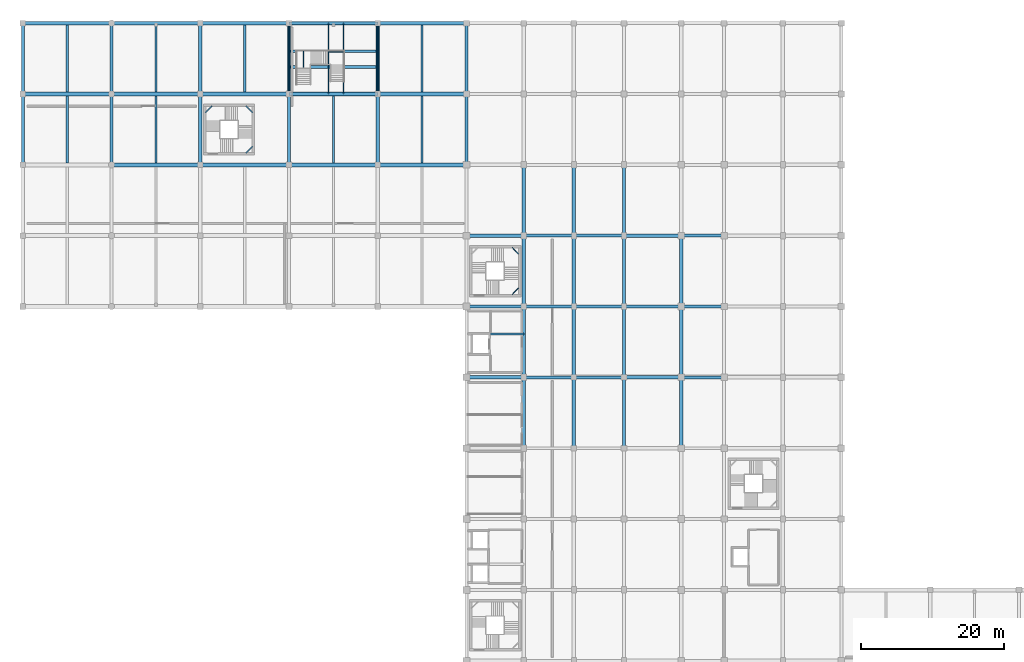
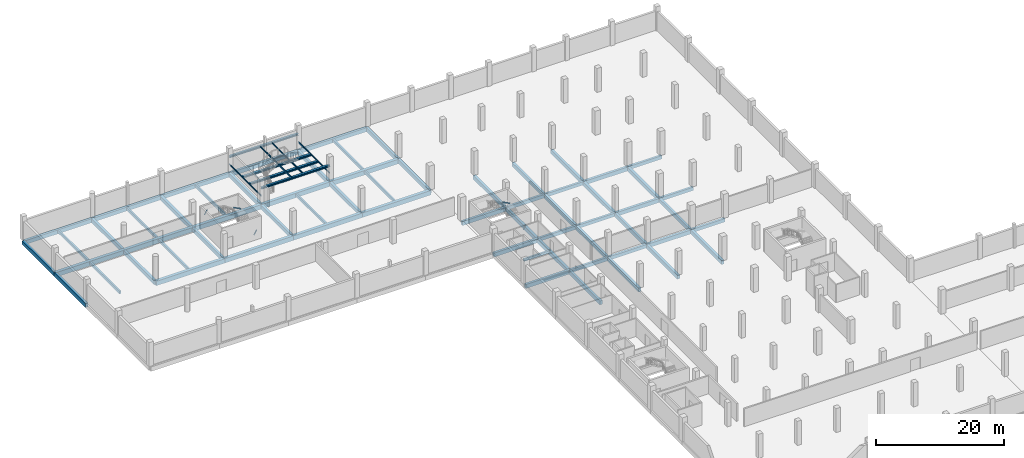
# One storey, part 5 of 32: 80 beams.
"""IFC4 building model written with IfcOpenShell, lengths in metres."""

from ifc_helpers import new_model, si_unit, direction, frame, origin, origin_2d, place, context, subcontext, project, spatial, rectangle, hollow_rectangle, i_section, extrude, material, material_profile, profile_set, type_object, element, save


model = new_model("IFC4")

# Units and contexts
model_context = context("Model", 3, precision=1e-05, world=origin(), true_north=direction((0.0, 1.0)))
body_context = subcontext(model_context, "Body", "Model", "MODEL_VIEW")
ifc_project = project(units=[si_unit("LENGTHUNIT", "METRE"), si_unit("AREAUNIT", "SQUARE_METRE"), si_unit("VOLUMEUNIT", "CUBIC_METRE"), si_unit("PLANEANGLEUNIT", "RADIAN"), si_unit("MASSUNIT", "GRAM", prefix="KILO")], contexts=[model_context])

# Site, building, storey
site_placement = place(None, origin())
site = spatial("IfcSite", under=ifc_project, at=site_placement, CompositionType="ELEMENT")
building_placement = place(site_placement, origin())
building = spatial("IfcBuilding", under=site, at=building_placement, Name="Sillaruma Civic Art Gallery", CompositionType="ELEMENT")
storey_placement = place(building_placement, frame((0.0, 0.0, -4.590087890625)))
storey = spatial("IfcBuildingStorey", under=building, at=storey_placement, Name="B01", CompositionType="ELEMENT", Elevation=-4.590087890625)

# Beams
ifc_material_1 = material(Name="Concrete H35 (35 MPa)", Category="concrete")
ifc_material_profile_1 = material_profile(ifc_material_1, rectangle(XDim=0.39990234375, YDim=0.64990234375, at=origin_2d()), Name="RCB400x650")
ifc_profile_set_1 = profile_set([ifc_material_profile_1], Name="Concrete H35 (35 MPa)")
beam_type_1 = type_object("IfcBeamType", Name="BM-BEAM-RCB400x650", PredefinedType="BEAM", material=ifc_profile_set_1)
for number, where, z_axis, x_axis, name in (
    (1, (70.0, 69.300048828125, -0.60498046875), (1.0, 0.0, 0.0), (0.0, 1.0, 0.0), "Beam BM-05 (B02:8:G-H)"),
    (2, (77.0, 69.300048828125, -0.60498046875), (1.0, 0.0, 0.0), (0.0, 1.0, 0.0), "Beam BM-05 (B02:8:H-J)"),
):
    element("IfcBeam", number, at=place(storey_placement, frame(where, z_axis=z_axis, x_axis=x_axis)), inside=storey, type_object=beam_type_1, Name=name, PredefinedType="BEAM", context=body_context, shape_type="SweptSolid", body=[
        extrude(rectangle(XDim=0.39990234375, YDim=0.64990234375, at=origin_2d()), origin(), (0.0, 0.0, 1.0), 7.0),
    ])
beam_1_placement = place(storey_placement, frame((92.0, 69.300048828125, -0.60498046875), z_axis=(1.0, 0.0, 0.0), x_axis=(0.0, 1.0, 0.0)))
element("IfcBeam", 3, at=beam_1_placement, inside=storey, type_object=beam_type_1, Name="Beam BM-05 (B02:8:K-L)", PredefinedType="BEAM", context=body_context, shape_type="SweptSolid", body=[
    extrude(rectangle(XDim=0.39990234375, YDim=0.64990234375, at=origin_2d()), origin(), (0.0, 0.0, 1.0), 6.0),
])
for number, where, z_axis, x_axis, name in (
    (4, (70.0, 79.199951171875, -0.60498046875), (1.0, 0.0, 0.0), (0.0, 1.0, 0.0), "Beam BM-05 (B02:9:G-H)"),
    (5, (77.0, 79.199951171875, -0.60498046875), (1.0, 0.0, 0.0), (0.0, 1.0, 0.0), "Beam BM-05 (B02:9:H-J)"),
):
    element("IfcBeam", number, at=place(storey_placement, frame(where, z_axis=z_axis, x_axis=x_axis)), inside=storey, type_object=beam_type_1, Name=name, PredefinedType="BEAM", context=body_context, shape_type="SweptSolid", body=[
        extrude(rectangle(XDim=0.39990234375, YDim=0.64990234375, at=origin_2d()), origin(), (0.0, 0.0, 1.0), 7.0),
    ])
beam_2_placement = place(storey_placement, frame((92.0, 79.199951171875, -0.60498046875), z_axis=(1.0, 0.0, 0.0), x_axis=(0.0, 1.0, 0.0)))
element("IfcBeam", 6, at=beam_2_placement, inside=storey, type_object=beam_type_1, Name="Beam BM-05 (B02:9:K-L)", PredefinedType="BEAM", context=body_context, shape_type="SweptSolid", body=[
    extrude(rectangle(XDim=0.39990234375, YDim=0.64990234375, at=origin_2d()), origin(), (0.0, 0.0, 1.0), 6.0),
])
for number, where, z_axis, x_axis, name in (
    (7, (70.0, 89.10009765625, -0.60498046875), (1.0, 0.0, 0.0), (0.0, 1.0, 0.0), "Beam BM-05 (B02:10:G-H)"),
    (8, (77.0, 89.10009765625, -0.60498046875), (1.0, 0.0, 0.0), (0.0, 1.0, 0.0), "Beam BM-05 (B02:10:H-J)"),
):
    element("IfcBeam", number, at=place(storey_placement, frame(where, z_axis=z_axis, x_axis=x_axis)), inside=storey, type_object=beam_type_1, Name=name, PredefinedType="BEAM", context=body_context, shape_type="SweptSolid", body=[
        extrude(rectangle(XDim=0.39990234375, YDim=0.64990234375, at=origin_2d()), origin(), (0.0, 0.0, 1.0), 7.0),
    ])
beam_3_placement = place(storey_placement, frame((92.0, 89.10009765625, -0.60498046875), z_axis=(1.0, 0.0, 0.0), x_axis=(0.0, 1.0, 0.0)))
element("IfcBeam", 9, at=beam_3_placement, inside=storey, type_object=beam_type_1, Name="Beam BM-05 (B02:10:K-L)", PredefinedType="BEAM", context=body_context, shape_type="SweptSolid", body=[
    extrude(rectangle(XDim=0.39990234375, YDim=0.64990234375, at=origin_2d()), origin(), (0.0, 0.0, 1.0), 6.0),
])
ifc_material_2 = material(Name="Concrete H40 (40 MPa)", Category="concrete")
ifc_material_profile_2 = material_profile(ifc_material_2, rectangle(XDim=0.449951171875, YDim=0.75, at=origin_2d()), Name="RCB450x750")
ifc_profile_set_2 = profile_set([ifc_material_profile_2], Name="Concrete H40 (40 MPa)")
beam_type_2 = type_object("IfcBeamType", Name="BM-BEAM-RCB450x750", PredefinedType="BEAM", material=ifc_profile_set_2)
for number, where, z_axis, x_axis, name in (
    (10, (62.0, 69.300048828125, -0.655029296875), (1.0, 0.0, 0.0), (0.0, 1.0, 0.0), "Beam BM-03 (B02:8:F-G)"),
    (11, (84.0, 69.300048828125, -0.655029296875), (1.0, 0.0, 0.0), (0.0, 1.0, 0.0), "Beam BM-03 (B02:8:J-K)"),
    (12, (62.0, 79.199951171875, -0.655029296875), (1.0, 0.0, 0.0), (0.0, 1.0, 0.0), "Beam BM-03 (B02:9:F-G)"),
    (13, (84.0, 79.199951171875, -0.655029296875), (1.0, 0.0, 0.0), (0.0, 1.0, 0.0), "Beam BM-03 (B02:9:J-K)"),
    (14, (62.0, 89.10009765625, -0.655029296875), (1.0, 0.0, 0.0), (0.0, 1.0, 0.0), "Beam BM-03 (B02:10:F-G)"),
    (15, (84.0, 89.10009765625, -0.655029296875), (1.0, 0.0, 0.0), (0.0, 1.0, 0.0), "Beam BM-03 (B02:10:J-K)"),
):
    element("IfcBeam", number, at=place(storey_placement, frame(where, z_axis=z_axis, x_axis=x_axis)), inside=storey, type_object=beam_type_2, Name=name, PredefinedType="BEAM", context=body_context, shape_type="SweptSolid", body=[
        extrude(rectangle(XDim=0.449951171875, YDim=0.75, at=origin_2d()), origin(), (0.0, 0.0, 1.0), 8.0),
    ])
beam_4_placement = place(storey_placement, frame((0.0, 99.0, -0.655029296875), z_axis=(0.0, 1.0, 0.0), x_axis=(-1.0, 0.0, 0.0)))
element("IfcBeam", 16, at=beam_4_placement, inside=storey, type_object=beam_type_2, Name="Beam BM-03 (B02:A:11-12)", PredefinedType="BEAM", context=body_context, shape_type="SweptSolid", body=[
    extrude(rectangle(XDim=0.449951171875, YDim=0.75, at=origin_2d()), origin(), (0.0, 0.0, 1.0), 9.89990234375),
])
beam_5_placement = place(storey_placement, frame((0.0, 108.89990234375, -0.655029296875), z_axis=(0.0, 1.0, 0.0), x_axis=(-1.0, 0.0, 0.0)))
element("IfcBeam", 17, at=beam_5_placement, inside=storey, type_object=beam_type_2, Name="Beam BM-03 (B02:A:12-13)", PredefinedType="BEAM", context=body_context, shape_type="SweptSolid", body=[
    extrude(rectangle(XDim=0.449951171875, YDim=0.75, at=origin_2d()), origin(), (0.0, 0.0, 1.0), 9.900146484375),
])
beam_6_placement = place(storey_placement, frame((12.39990234375, 99.0, -0.655029296875), z_axis=(0.0, 1.0, 0.0), x_axis=(-1.0, 0.0, 0.0)))
element("IfcBeam", 18, at=beam_6_placement, inside=storey, type_object=beam_type_2, Name="Beam BM-03 (B02:B:11-12)", PredefinedType="BEAM", context=body_context, shape_type="SweptSolid", body=[
    extrude(rectangle(XDim=0.449951171875, YDim=0.75, at=origin_2d()), origin(), (0.0, 0.0, 1.0), 9.89990234375),
])
beam_7_placement = place(storey_placement, frame((12.39990234375, 108.89990234375, -0.655029296875), z_axis=(0.0, 1.0, 0.0), x_axis=(-1.0, 0.0, 0.0)))
element("IfcBeam", 19, at=beam_7_placement, inside=storey, type_object=beam_type_2, Name="Beam BM-03 (B02:B:12-13)", PredefinedType="BEAM", context=body_context, shape_type="SweptSolid", body=[
    extrude(rectangle(XDim=0.449951171875, YDim=0.75, at=origin_2d()), origin(), (0.0, 0.0, 1.0), 9.900146484375),
])
beam_8_placement = place(storey_placement, frame((24.800048828125, 99.0, -0.655029296875), z_axis=(0.0, 1.0, 0.0), x_axis=(-1.0, 0.0, 0.0)))
element("IfcBeam", 20, at=beam_8_placement, inside=storey, type_object=beam_type_2, Name="Beam BM-03 (B02:C:11-12)", PredefinedType="BEAM", context=body_context, shape_type="SweptSolid", body=[
    extrude(rectangle(XDim=0.449951171875, YDim=0.75, at=origin_2d()), origin(), (0.0, 0.0, 1.0), 9.89990234375),
])
beam_9_placement = place(storey_placement, frame((24.800048828125, 108.89990234375, -0.655029296875), z_axis=(0.0, 1.0, 0.0), x_axis=(-1.0, 0.0, 0.0)))
element("IfcBeam", 21, at=beam_9_placement, inside=storey, type_object=beam_type_2, Name="Beam BM-03 (B02:C:12-13)", PredefinedType="BEAM", context=body_context, shape_type="SweptSolid", body=[
    extrude(rectangle(XDim=0.449951171875, YDim=0.75, at=origin_2d()), origin(), (0.0, 0.0, 1.0), 9.900146484375),
])
beam_10_placement = place(storey_placement, frame((37.199951171875, 99.0, -0.655029296875), z_axis=(0.0, 1.0, 0.0), x_axis=(-1.0, 0.0, 0.0)))
element("IfcBeam", 22, at=beam_10_placement, inside=storey, type_object=beam_type_2, Name="Beam BM-03 (B02:D:11-12)", PredefinedType="BEAM", context=body_context, shape_type="SweptSolid", body=[
    extrude(rectangle(XDim=0.449951171875, YDim=0.75, at=origin_2d()), origin(), (0.0, 0.0, 1.0), 9.89990234375),
])
beam_11_placement = place(storey_placement, frame((37.199951171875, 108.89990234375, -0.655029296875), z_axis=(0.0, 1.0, 0.0), x_axis=(-1.0, 0.0, 0.0)))
element("IfcBeam", 23, at=beam_11_placement, inside=storey, type_object=beam_type_2, Name="Beam BM-03 (B02:D:12-13)", PredefinedType="BEAM", context=body_context, shape_type="SweptSolid", body=[
    extrude(rectangle(XDim=0.449951171875, YDim=0.75, at=origin_2d()), origin(), (0.0, 0.0, 1.0), 9.900146484375),
])
beam_12_placement = place(storey_placement, frame((49.60009765625, 99.0, -0.655029296875), z_axis=(0.0, 1.0, 0.0), x_axis=(-1.0, 0.0, 0.0)))
element("IfcBeam", 24, at=beam_12_placement, inside=storey, type_object=beam_type_2, Name="Beam BM-03 (B02:E:11-12)", PredefinedType="BEAM", context=body_context, shape_type="SweptSolid", body=[
    extrude(rectangle(XDim=0.449951171875, YDim=0.75, at=origin_2d()), origin(), (0.0, 0.0, 1.0), 9.89990234375),
])
beam_13_placement = place(storey_placement, frame((49.60009765625, 108.89990234375, -0.655029296875), z_axis=(0.0, 1.0, 0.0), x_axis=(-1.0, 0.0, 0.0)))
element("IfcBeam", 25, at=beam_13_placement, inside=storey, type_object=beam_type_2, Name="Beam BM-03 (B02:E:12-13)", PredefinedType="BEAM", context=body_context, shape_type="SweptSolid", body=[
    extrude(rectangle(XDim=0.449951171875, YDim=0.75, at=origin_2d()), origin(), (0.0, 0.0, 1.0), 9.900146484375),
])
beam_14_placement = place(storey_placement, frame((62.0, 99.0, -0.655029296875), z_axis=(0.0, 1.0, 0.0), x_axis=(-1.0, 0.0, 0.0)))
element("IfcBeam", 26, at=beam_14_placement, inside=storey, type_object=beam_type_2, Name="Beam BM-03 (B02:F:11-12)", PredefinedType="BEAM", context=body_context, shape_type="SweptSolid", body=[
    extrude(rectangle(XDim=0.449951171875, YDim=0.75, at=origin_2d()), origin(), (0.0, 0.0, 1.0), 9.89990234375),
])
for number, where, z_axis, x_axis, name in (
    (27, (62.0, 108.89990234375, -0.655029296875), (0.0, 1.0, 0.0), (-1.0, 0.0, 0.0), "Beam BM-03 (B02:F:12-13)"),
    (28, (70.0, 59.39990234375, -0.655029296875), (0.0, 1.0, 0.0), (-1.0, 0.0, 0.0), "Beam BM-03 (B02:G:7-8)"),
):
    element("IfcBeam", number, at=place(storey_placement, frame(where, z_axis=z_axis, x_axis=x_axis)), inside=storey, type_object=beam_type_2, Name=name, PredefinedType="BEAM", context=body_context, shape_type="SweptSolid", body=[
        extrude(rectangle(XDim=0.449951171875, YDim=0.75, at=origin_2d()), origin(), (0.0, 0.0, 1.0), 9.900146484375),
    ])
beam_15_placement = place(storey_placement, frame((70.0, 69.300048828125, -0.655029296875), z_axis=(0.0, 1.0, 0.0), x_axis=(-1.0, 0.0, 0.0)))
element("IfcBeam", 29, at=beam_15_placement, inside=storey, type_object=beam_type_2, Name="Beam BM-03 (B02:G:8-9)", PredefinedType="BEAM", context=body_context, shape_type="SweptSolid", body=[
    extrude(rectangle(XDim=0.449951171875, YDim=0.75, at=origin_2d()), origin(), (0.0, 0.0, 1.0), 9.89990234375),
])
beam_16_placement = place(storey_placement, frame((70.0, 79.199951171875, -0.655029296875), z_axis=(0.0, 1.0, 0.0), x_axis=(-1.0, 0.0, 0.0)))
element("IfcBeam", 30, at=beam_16_placement, inside=storey, type_object=beam_type_2, Name="Beam BM-03 (B02:G:9-10)", PredefinedType="BEAM", context=body_context, shape_type="SweptSolid", body=[
    extrude(rectangle(XDim=0.449951171875, YDim=0.75, at=origin_2d()), origin(), (0.0, 0.0, 1.0), 9.900146484375),
])
beam_17_placement = place(storey_placement, frame((70.0, 89.10009765625, -0.655029296875), z_axis=(0.0, 1.0, 0.0), x_axis=(-1.0, 0.0, 0.0)))
element("IfcBeam", 31, at=beam_17_placement, inside=storey, type_object=beam_type_2, Name="Beam BM-03 (B02:G:10-11)", PredefinedType="BEAM", context=body_context, shape_type="SweptSolid", body=[
    extrude(rectangle(XDim=0.449951171875, YDim=0.75, at=origin_2d()), origin(), (0.0, 0.0, 1.0), 9.89990234375),
])
beam_18_placement = place(storey_placement, frame((77.0, 59.39990234375, -0.655029296875), z_axis=(0.0, 1.0, 0.0), x_axis=(-1.0, 0.0, 0.0)))
element("IfcBeam", 32, at=beam_18_placement, inside=storey, type_object=beam_type_2, Name="Beam BM-03 (B02:H:7-8)", PredefinedType="BEAM", context=body_context, shape_type="SweptSolid", body=[
    extrude(rectangle(XDim=0.449951171875, YDim=0.75, at=origin_2d()), origin(), (0.0, 0.0, 1.0), 9.900146484375),
])
beam_19_placement = place(storey_placement, frame((77.0, 69.300048828125, -0.655029296875), z_axis=(0.0, 1.0, 0.0), x_axis=(-1.0, 0.0, 0.0)))
element("IfcBeam", 33, at=beam_19_placement, inside=storey, type_object=beam_type_2, Name="Beam BM-03 (B02:H:8-9)", PredefinedType="BEAM", context=body_context, shape_type="SweptSolid", body=[
    extrude(rectangle(XDim=0.449951171875, YDim=0.75, at=origin_2d()), origin(), (0.0, 0.0, 1.0), 9.89990234375),
])
beam_20_placement = place(storey_placement, frame((77.0, 79.199951171875, -0.655029296875), z_axis=(0.0, 1.0, 0.0), x_axis=(-1.0, 0.0, 0.0)))
element("IfcBeam", 34, at=beam_20_placement, inside=storey, type_object=beam_type_2, Name="Beam BM-03 (B02:H:9-10)", PredefinedType="BEAM", context=body_context, shape_type="SweptSolid", body=[
    extrude(rectangle(XDim=0.449951171875, YDim=0.75, at=origin_2d()), origin(), (0.0, 0.0, 1.0), 9.900146484375),
])
beam_21_placement = place(storey_placement, frame((77.0, 89.10009765625, -0.655029296875), z_axis=(0.0, 1.0, 0.0), x_axis=(-1.0, 0.0, 0.0)))
element("IfcBeam", 35, at=beam_21_placement, inside=storey, type_object=beam_type_2, Name="Beam BM-03 (B02:H:10-11)", PredefinedType="BEAM", context=body_context, shape_type="SweptSolid", body=[
    extrude(rectangle(XDim=0.449951171875, YDim=0.75, at=origin_2d()), origin(), (0.0, 0.0, 1.0), 9.89990234375),
])
beam_22_placement = place(storey_placement, frame((84.0, 59.39990234375, -0.655029296875), z_axis=(0.0, 1.0, 0.0), x_axis=(-1.0, 0.0, 0.0)))
element("IfcBeam", 36, at=beam_22_placement, inside=storey, type_object=beam_type_2, Name="Beam BM-03 (B02:J:7-8)", PredefinedType="BEAM", context=body_context, shape_type="SweptSolid", body=[
    extrude(rectangle(XDim=0.449951171875, YDim=0.75, at=origin_2d()), origin(), (0.0, 0.0, 1.0), 9.900146484375),
])
beam_23_placement = place(storey_placement, frame((84.0, 69.300048828125, -0.655029296875), z_axis=(0.0, 1.0, 0.0), x_axis=(-1.0, 0.0, 0.0)))
element("IfcBeam", 37, at=beam_23_placement, inside=storey, type_object=beam_type_2, Name="Beam BM-03 (B02:J:8-9)", PredefinedType="BEAM", context=body_context, shape_type="SweptSolid", body=[
    extrude(rectangle(XDim=0.449951171875, YDim=0.75, at=origin_2d()), origin(), (0.0, 0.0, 1.0), 9.89990234375),
])
beam_24_placement = place(storey_placement, frame((84.0, 79.199951171875, -0.655029296875), z_axis=(0.0, 1.0, 0.0), x_axis=(-1.0, 0.0, 0.0)))
element("IfcBeam", 38, at=beam_24_placement, inside=storey, type_object=beam_type_2, Name="Beam BM-03 (B02:J:9-10)", PredefinedType="BEAM", context=body_context, shape_type="SweptSolid", body=[
    extrude(rectangle(XDim=0.449951171875, YDim=0.75, at=origin_2d()), origin(), (0.0, 0.0, 1.0), 9.900146484375),
])
beam_25_placement = place(storey_placement, frame((84.0, 89.10009765625, -0.655029296875), z_axis=(0.0, 1.0, 0.0), x_axis=(-1.0, 0.0, 0.0)))
element("IfcBeam", 39, at=beam_25_placement, inside=storey, type_object=beam_type_2, Name="Beam BM-03 (B02:J:10-11)", PredefinedType="BEAM", context=body_context, shape_type="SweptSolid", body=[
    extrude(rectangle(XDim=0.449951171875, YDim=0.75, at=origin_2d()), origin(), (0.0, 0.0, 1.0), 9.89990234375),
])
beam_26_placement = place(storey_placement, frame((92.0, 59.39990234375, -0.655029296875), z_axis=(0.0, 1.0, 0.0), x_axis=(-1.0, 0.0, 0.0)))
element("IfcBeam", 40, at=beam_26_placement, inside=storey, type_object=beam_type_2, Name="Beam BM-03 (B02:K:7-8)", PredefinedType="BEAM", context=body_context, shape_type="SweptSolid", body=[
    extrude(rectangle(XDim=0.449951171875, YDim=0.75, at=origin_2d()), origin(), (0.0, 0.0, 1.0), 9.900146484375),
])
beam_27_placement = place(storey_placement, frame((92.0, 69.300048828125, -0.655029296875), z_axis=(0.0, 1.0, 0.0), x_axis=(-1.0, 0.0, 0.0)))
element("IfcBeam", 41, at=beam_27_placement, inside=storey, type_object=beam_type_2, Name="Beam BM-03 (B02:K:8-9)", PredefinedType="BEAM", context=body_context, shape_type="SweptSolid", body=[
    extrude(rectangle(XDim=0.449951171875, YDim=0.75, at=origin_2d()), origin(), (0.0, 0.0, 1.0), 9.89990234375),
])
beam_28_placement = place(storey_placement, frame((92.0, 79.199951171875, -0.655029296875), z_axis=(0.0, 1.0, 0.0), x_axis=(-1.0, 0.0, 0.0)))
element("IfcBeam", 42, at=beam_28_placement, inside=storey, type_object=beam_type_2, Name="Beam BM-03 (B02:K:9-10)", PredefinedType="BEAM", context=body_context, shape_type="SweptSolid", body=[
    extrude(rectangle(XDim=0.449951171875, YDim=0.75, at=origin_2d()), origin(), (0.0, 0.0, 1.0), 9.900146484375),
])
ifc_material_profile_3 = material_profile(ifc_material_2, rectangle(XDim=0.550048828125, YDim=0.85009765625, at=origin_2d()), Name="RCB550x850")
ifc_profile_set_3 = profile_set([ifc_material_profile_3], Name="Concrete H40 (40 MPa)")
beam_type_3 = type_object("IfcBeamType", Name="BM-BEAM-RCB550x850", PredefinedType="BEAM", material=ifc_profile_set_3)
beam_29_placement = place(storey_placement, frame((12.39990234375, 99.0, -0.704833984375), z_axis=(1.0, 0.0, 0.0), x_axis=(0.0, 1.0, 0.0)))
element("IfcBeam", 43, at=beam_29_placement, inside=storey, type_object=beam_type_3, Name="Beam BM-01 (B02:11:B-C)", PredefinedType="BEAM", context=body_context, shape_type="SweptSolid", body=[
    extrude(rectangle(XDim=0.550048828125, YDim=0.85009765625, at=origin_2d()), origin(), (0.0, 0.0, 1.0), 12.400146484375),
])
beam_30_placement = place(storey_placement, frame((24.800048828125, 99.0, -0.704833984375), z_axis=(1.0, 0.0, 0.0), x_axis=(0.0, 1.0, 0.0)))
element("IfcBeam", 44, at=beam_30_placement, inside=storey, type_object=beam_type_3, Name="Beam BM-01 (B02:11:C-D)", PredefinedType="BEAM", context=body_context, shape_type="SweptSolid", body=[
    extrude(rectangle(XDim=0.550048828125, YDim=0.85009765625, at=origin_2d()), origin(), (0.0, 0.0, 1.0), 12.39990234375),
])
beam_31_placement = place(storey_placement, frame((37.199951171875, 99.0, -0.704833984375), z_axis=(1.0, 0.0, 0.0), x_axis=(0.0, 1.0, 0.0)))
element("IfcBeam", 45, at=beam_31_placement, inside=storey, type_object=beam_type_3, Name="Beam BM-01 (B02:11:D-E)", PredefinedType="BEAM", context=body_context, shape_type="SweptSolid", body=[
    extrude(rectangle(XDim=0.550048828125, YDim=0.85009765625, at=origin_2d()), origin(), (0.0, 0.0, 1.0), 12.400146484375),
])
for number, where, z_axis, x_axis, name in (
    (46, (49.60009765625, 99.0, -0.704833984375), (1.0, 0.0, 0.0), (0.0, 1.0, 0.0), "Beam BM-01 (B02:11:E-F)"),
    (47, (0.0, 108.89990234375, -0.704833984375), (1.0, 0.0, 0.0), (0.0, 1.0, 0.0), "Beam BM-01 (B02:12:A-B)"),
):
    element("IfcBeam", number, at=place(storey_placement, frame(where, z_axis=z_axis, x_axis=x_axis)), inside=storey, type_object=beam_type_3, Name=name, PredefinedType="BEAM", context=body_context, shape_type="SweptSolid", body=[
        extrude(rectangle(XDim=0.550048828125, YDim=0.85009765625, at=origin_2d()), origin(), (0.0, 0.0, 1.0), 12.39990234375),
    ])
beam_32_placement = place(storey_placement, frame((12.39990234375, 108.89990234375, -0.704833984375), z_axis=(1.0, 0.0, 0.0), x_axis=(0.0, 1.0, 0.0)))
element("IfcBeam", 48, at=beam_32_placement, inside=storey, type_object=beam_type_3, Name="Beam BM-01 (B02:12:B-C)", PredefinedType="BEAM", context=body_context, shape_type="SweptSolid", body=[
    extrude(rectangle(XDim=0.550048828125, YDim=0.85009765625, at=origin_2d()), origin(), (0.0, 0.0, 1.0), 12.400146484375),
])
beam_33_placement = place(storey_placement, frame((24.800048828125, 108.89990234375, -0.704833984375), z_axis=(1.0, 0.0, 0.0), x_axis=(0.0, 1.0, 0.0)))
element("IfcBeam", 49, at=beam_33_placement, inside=storey, type_object=beam_type_3, Name="Beam BM-01 (B02:12:C-D)", PredefinedType="BEAM", context=body_context, shape_type="SweptSolid", body=[
    extrude(rectangle(XDim=0.550048828125, YDim=0.85009765625, at=origin_2d()), origin(), (0.0, 0.0, 1.0), 12.39990234375),
])
beam_34_placement = place(storey_placement, frame((37.199951171875, 108.89990234375, -0.704833984375), z_axis=(1.0, 0.0, 0.0), x_axis=(0.0, 1.0, 0.0)))
element("IfcBeam", 50, at=beam_34_placement, inside=storey, type_object=beam_type_3, Name="Beam BM-01 (B02:12:D-E)", PredefinedType="BEAM", context=body_context, shape_type="SweptSolid", body=[
    extrude(rectangle(XDim=0.550048828125, YDim=0.85009765625, at=origin_2d()), origin(), (0.0, 0.0, 1.0), 12.400146484375),
])
beam_35_placement = place(storey_placement, frame((49.60009765625, 108.89990234375, -0.704833984375), z_axis=(1.0, 0.0, 0.0), x_axis=(0.0, 1.0, 0.0)))
element("IfcBeam", 51, at=beam_35_placement, inside=storey, type_object=beam_type_3, Name="Beam BM-01 (B02:12:E-F)", PredefinedType="BEAM", context=body_context, shape_type="SweptSolid", body=[
    extrude(rectangle(XDim=0.550048828125, YDim=0.85009765625, at=origin_2d()), origin(), (0.0, 0.0, 1.0), 12.39990234375),
])
ifc_material_3 = material(Name="Structural Steel ASTM A500 Gr.C", Category="steel")
ifc_material_profile_4 = material_profile(ifc_material_3, hollow_rectangle(XDim=0.080078125, YDim=0.159912109375, WallThickness=0.008056640625, InnerFilletRadius=0.008056640625, OuterFilletRadius=0.01611328125, at=origin_2d()), Name="HSS160x80x8")
ifc_profile_set_4 = profile_set([ifc_material_profile_4], Name="Structural Steel ASTM A500 Gr.C")
beam_type_4 = type_object("IfcBeamType", Name="BM-FS-HSS160", PredefinedType="BEAM", material=ifc_profile_set_4)
beam_36_placement = place(storey_placement, frame((39.199951171875, 112.669921875, 1.26513671875), z_axis=(0.0, 1.0, 0.0), x_axis=(-1.0, 0.0, 0.0)))
element("IfcBeam", 52, at=beam_36_placement, inside=storey, type_object=beam_type_4, Name="Feature Stair L1 Spreader (ST-G01)", PredefinedType="BEAM", context=body_context, shape_type="SweptSolid", body=[
    extrude(hollow_rectangle(XDim=0.080078125, YDim=0.159912109375, WallThickness=0.008056640625, InnerFilletRadius=0.008056640625, OuterFilletRadius=0.01611328125, at=origin_2d()), origin(), (0.0, 0.0, 1.0), 2.18017578125),
])
beam_37_placement = place(storey_placement, frame((42.7099609375, 114.75, 2.795166015625), z_axis=(1.0, 0.0, 0.0), x_axis=(0.0, 1.0, 0.0)))
element("IfcBeam", 53, at=beam_37_placement, inside=storey, type_object=beam_type_4, Name="Feature Stair L2 Spreader (ST-G01)", PredefinedType="BEAM", context=body_context, shape_type="SweptSolid", body=[
    extrude(hollow_rectangle(XDim=0.080078125, YDim=0.159912109375, WallThickness=0.008056640625, InnerFilletRadius=0.008056640625, OuterFilletRadius=0.01611328125, at=origin_2d()), origin(), (0.0, 0.0, 1.0), 2.090087890625),
])
ifc_material_profile_5 = material_profile(ifc_material_1, rectangle(XDim=0.300048828125, YDim=0.52001953125, at=origin_2d()), Name="RCB300x520")
ifc_profile_set_5 = profile_set([ifc_material_profile_5], Name="Concrete H35 (35 MPa)")
beam_type_5 = type_object("IfcBeamType", Name="BM-JOIST-RCB300x520", PredefinedType="JOIST", material=ifc_profile_set_5)
for number, where, z_axis, x_axis, name in (
    (54, (6.199951171875, 99.27490234375, -0.539794921875), (0.0, 1.0, 0.0), (-1.0, 0.0, 0.0), "Floor Joist JR-01 (B02:AB:11-12)"),
    (55, (18.60009765625, 99.27490234375, -0.539794921875), (0.0, 1.0, 0.0), (-1.0, 0.0, 0.0), "Floor Joist JR-01 (B02:BC:11-12)"),
    (56, (43.39990234375, 99.27490234375, -0.539794921875), (0.0, 1.0, 0.0), (-1.0, 0.0, 0.0), "Floor Joist JR-01 (B02:DE:11-12)"),
    (57, (55.800048828125, 99.27490234375, -0.539794921875), (0.0, 1.0, 0.0), (-1.0, 0.0, 0.0), "Floor Joist JR-01 (B02:EF:11-12)"),
):
    element("IfcBeam", number, at=place(storey_placement, frame(where, z_axis=z_axis, x_axis=x_axis)), inside=storey, type_object=beam_type_5, Name=name, PredefinedType="JOIST", context=body_context, shape_type="SweptSolid", body=[
        extrude(rectangle(XDim=0.300048828125, YDim=0.52001953125, at=origin_2d()), origin(), (0.0, 0.0, 1.0), 9.35009765625),
    ])
for number, where, z_axis, x_axis, name in (
    (58, (6.199951171875, 109.175048828125, -0.539794921875), (0.0, 1.0, 0.0), (-1.0, 0.0, 0.0), "Floor Joist JR-01 (B02:AB:12-13)"),
    (59, (18.60009765625, 109.175048828125, -0.539794921875), (0.0, 1.0, 0.0), (-1.0, 0.0, 0.0), "Floor Joist JR-01 (B02:BC:12-13)"),
    (60, (31.0, 109.175048828125, -0.539794921875), (0.0, 1.0, 0.0), (-1.0, 0.0, 0.0), "Floor Joist JR-01 (B02:CD:12-13)"),
    (61, (55.800048828125, 109.175048828125, -0.539794921875), (0.0, 1.0, 0.0), (-1.0, 0.0, 0.0), "Floor Joist JR-01 (B02:EF:12-13)"),
):
    element("IfcBeam", number, at=place(storey_placement, frame(where, z_axis=z_axis, x_axis=x_axis)), inside=storey, type_object=beam_type_5, Name=name, PredefinedType="JOIST", context=body_context, shape_type="SweptSolid", body=[
        extrude(rectangle(XDim=0.300048828125, YDim=0.52001953125, at=origin_2d()), origin(), (0.0, 0.0, 1.0), 9.39990234375),
    ])
ifc_material_profile_6 = material_profile(ifc_material_1, rectangle(XDim=0.300048828125, YDim=0.4599609375, at=origin_2d()), Name="RCB300x460")
ifc_profile_set_6 = profile_set([ifc_material_profile_6], Name="Concrete H35 (35 MPa)")
beam_type_6 = type_object("IfcBeamType", Name="BM-LINTEL-RCB300x460", PredefinedType="LINTEL", material=ifc_profile_set_6)
beam_38_placement = place(storey_placement, frame((65.25, 75.3798828125, -0.510009765625), z_axis=(1.0, 0.0, 0.0), x_axis=(0.0, 1.0, 0.0)))
element("IfcBeam", 62, at=beam_38_placement, inside=storey, type_object=beam_type_6, Name="Core Portal Coupling Lintel BL-01 (B02:FFL)", PredefinedType="LINTEL", context=body_context, shape_type="SweptSolid", body=[
    extrude(rectangle(XDim=0.300048828125, YDim=0.4599609375, at=origin_2d()), origin(), (0.0, 0.0, 1.0), 4.75),
])
ifc_material_profile_7 = material_profile(ifc_material_3, hollow_rectangle(XDim=0.080078125, YDim=0.159912109375, WallThickness=0.008056640625, InnerFilletRadius=0.008056640625, OuterFilletRadius=0.01611328125, at=origin_2d()), Name="HSS160x80x8")
ifc_profile_set_7 = profile_set([ifc_material_profile_7], Name="Structural Steel ASTM A500 Gr.C")
beam_type_7 = type_object("IfcBeamType", Name="BM-LND-HSS160", PredefinedType="BEAM", material=ifc_profile_set_7)
for number, where, z_axis, x_axis, name in (
    (63, (31.18994140625, 100.659912109375, 0.91015625), (0.707106781187, 0.707106781187, 0.0), (-0.707106781187, 0.707106781187, 0.0), "Stair Corner Landing Trimmer Beam (ST-01-B01-1)"),
    (64, (31.18994140625, 107.219970703125, 2.10009765625), (0.707203758046, -0.707009791025, 0.0), (0.707009791025, 0.707203758046, 0.0), "Stair Corner Landing Trimmer Beam (ST-01-B01-2)"),
):
    element("IfcBeam", number, at=place(storey_placement, frame(where, z_axis=z_axis, x_axis=x_axis)), inside=storey, type_object=beam_type_7, Name=name, PredefinedType="BEAM", context=body_context, shape_type="SweptSolid", body=[
        extrude(hollow_rectangle(XDim=0.080078125, YDim=0.159912109375, WallThickness=0.008056640625, InnerFilletRadius=0.008056640625, OuterFilletRadius=0.01611328125, at=origin_2d()), origin(), (0.0, 0.0, 1.0), 1.2587890625),
    ])
beam_39_placement = place(storey_placement, frame((25.52001953125, 106.330078125, 3.2900390625), z_axis=(0.707106781187, 0.707106781187, 0.0), x_axis=(-0.707106781187, 0.707106781187, 0.0)))
element("IfcBeam", 65, at=beam_39_placement, inside=storey, type_object=beam_type_7, Name="Stair Corner Landing Trimmer Beam (ST-01-B01-3)", PredefinedType="BEAM", context=body_context, shape_type="SweptSolid", body=[
    extrude(hollow_rectangle(XDim=0.080078125, YDim=0.159912109375, WallThickness=0.008056640625, InnerFilletRadius=0.008056640625, OuterFilletRadius=0.01611328125, at=origin_2d()), origin(), (0.0, 0.0, 1.0), 1.258544921875),
])
for number, where, z_axis, x_axis, name in (
    (66, (68.389892578125, 80.8701171875, 0.91015625), (0.707203758046, 0.707009791025, 0.0), (-0.707009791025, 0.707203758046, 0.0), "Stair Corner Landing Trimmer Beam (ST-02-B01-1)"),
    (67, (68.389892578125, 87.429931640625, 2.10009765625), (0.707203758046, -0.707009791025, 0.0), (0.707009791025, 0.707203758046, 0.0), "Stair Corner Landing Trimmer Beam (ST-02-B01-2)"),
):
    element("IfcBeam", number, at=place(storey_placement, frame(where, z_axis=z_axis, x_axis=x_axis)), inside=storey, type_object=beam_type_7, Name=name, PredefinedType="BEAM", context=body_context, shape_type="SweptSolid", body=[
        extrude(hollow_rectangle(XDim=0.080078125, YDim=0.159912109375, WallThickness=0.008056640625, InnerFilletRadius=0.008056640625, OuterFilletRadius=0.01611328125, at=origin_2d()), origin(), (0.0, 0.0, 1.0), 1.2587890625),
    ])
ifc_material_profile_8 = material_profile(ifc_material_3, hollow_rectangle(XDim=0.14990234375, YDim=0.25, WallThickness=0.010009765625, InnerFilletRadius=0.010009765625, OuterFilletRadius=0.02001953125, at=origin_2d()), Name="HSS250x150x10")
ifc_profile_set_8 = profile_set([ifc_material_profile_8], Name="Structural Steel ASTM A500 Gr.C")
beam_type_8 = type_object("IfcBeamType", Name="BM-LND-HSS200", PredefinedType="BEAM", material=ifc_profile_set_8)
for number, where, z_axis, x_axis, name in (
    (68, (37.199951171875, 108.89990234375, 1.219970703125), (0.0, 1.0, 0.0), (-1.0, 0.0, 0.0), "Feature Stair L1 Rail (ST-G01-W)"),
    (69, (49.60009765625, 108.89990234375, 1.219970703125), (0.0, 1.0, 0.0), (-1.0, 0.0, 0.0), "Feature Stair L1 Rail (ST-G01-E)"),
    (70, (42.7099609375, 108.89990234375, 2.75), (0.0, 1.0, 0.0), (-1.0, 0.0, 0.0), "Feature Stair L2 Girder (ST-G01-1)"),
    (71, (44.800048828125, 108.89990234375, 2.75), (0.0, 1.0, 0.0), (-1.0, 0.0, 0.0), "Feature Stair L2 Girder (ST-G01-2)"),
):
    element("IfcBeam", number, at=place(storey_placement, frame(where, z_axis=z_axis, x_axis=x_axis)), inside=storey, type_object=beam_type_8, Name=name, PredefinedType="BEAM", context=body_context, shape_type="SweptSolid", body=[
        extrude(hollow_rectangle(XDim=0.14990234375, YDim=0.25, WallThickness=0.010009765625, InnerFilletRadius=0.010009765625, OuterFilletRadius=0.02001953125, at=origin_2d()), origin(), (0.0, 0.0, 1.0), 9.900146484375),
    ])
ifc_material_4 = material(Name="Structural Steel ASTM A992 Gr.50", Category="steel")
ifc_material_profile_9 = material_profile(ifc_material_4, i_section(OverallWidth=0.368896484375, OverallDepth=0.35595703125, WebThickness=0.01123046875, FlangeThickness=0.01806640625, FilletRadius=0.014892578125, at=origin_2d()), Name="W360x134")
ifc_profile_set_9 = profile_set([ifc_material_profile_9], Name="Structural Steel ASTM A992 Gr.50")
beam_type_9 = type_object("IfcBeamType", Name="BM-LND-W360", PredefinedType="BEAM", material=ifc_profile_set_9)
for number, where, z_axis, x_axis, name in (
    (72, (37.199951171875, 112.669921875, 1.1669921875), (1.0, 0.0, 0.0), (0.0, 1.0, 0.0), "Feature Stair L1 Girder (ST-G01-1)"),
    (73, (37.199951171875, 114.85009765625, 1.1669921875), (1.0, 0.0, 0.0), (0.0, 1.0, 0.0), "Feature Stair L1 Girder (ST-G01-2)"),
    (74, (37.199951171875, 108.89990234375, 2.697021484375), (1.0, 0.0, 0.0), (0.0, 1.0, 0.0), "Feature Stair L2 Rail (ST-G01-S)"),
    (75, (37.199951171875, 118.800048828125, 2.697021484375), (1.0, 0.0, 0.0), (0.0, 1.0, 0.0), "Feature Stair L2 Rail (ST-G01-N)"),
):
    element("IfcBeam", number, at=place(storey_placement, frame(where, z_axis=z_axis, x_axis=x_axis)), inside=storey, type_object=beam_type_9, Name=name, PredefinedType="BEAM", context=body_context, shape_type="SweptSolid", body=[
        extrude(i_section(OverallWidth=0.368896484375, OverallDepth=0.35595703125, WebThickness=0.01123046875, FlangeThickness=0.01806640625, FilletRadius=0.014892578125, at=origin_2d()), origin(), (0.0, 0.0, 1.0), 12.400146484375),
    ])
ifc_material_profile_10 = material_profile(ifc_material_2, rectangle(XDim=0.449951171875, YDim=0.75, at=origin_2d()), Name="RCB450x750")
ifc_profile_set_10 = profile_set([ifc_material_profile_10], Name="Concrete H40 (40 MPa)")
beam_type_10 = type_object("IfcBeamType", Name="BM-SPANDREL-RCB450x750", PredefinedType="SPANDREL", material=ifc_profile_set_10)
beam_40_placement = place(storey_placement, frame((0.0, 118.800048828125, -0.655029296875), z_axis=(1.0, 0.0, 0.0), x_axis=(0.0, 1.0, 0.0)))
element("IfcBeam", 76, at=beam_40_placement, inside=storey, type_object=beam_type_10, Name="Beam BS-01 (B02:13:A-B)", PredefinedType="SPANDREL", context=body_context, shape_type="SweptSolid", body=[
    extrude(rectangle(XDim=0.449951171875, YDim=0.75, at=origin_2d()), origin(), (0.0, 0.0, 1.0), 12.39990234375),
])
beam_41_placement = place(storey_placement, frame((12.39990234375, 118.800048828125, -0.655029296875), z_axis=(1.0, 0.0, 0.0), x_axis=(0.0, 1.0, 0.0)))
element("IfcBeam", 77, at=beam_41_placement, inside=storey, type_object=beam_type_10, Name="Beam BS-01 (B02:13:B-C)", PredefinedType="SPANDREL", context=body_context, shape_type="SweptSolid", body=[
    extrude(rectangle(XDim=0.449951171875, YDim=0.75, at=origin_2d()), origin(), (0.0, 0.0, 1.0), 12.400146484375),
])
beam_42_placement = place(storey_placement, frame((24.800048828125, 118.800048828125, -0.655029296875), z_axis=(1.0, 0.0, 0.0), x_axis=(0.0, 1.0, 0.0)))
element("IfcBeam", 78, at=beam_42_placement, inside=storey, type_object=beam_type_10, Name="Beam BS-01 (B02:13:C-D)", PredefinedType="SPANDREL", context=body_context, shape_type="SweptSolid", body=[
    extrude(rectangle(XDim=0.449951171875, YDim=0.75, at=origin_2d()), origin(), (0.0, 0.0, 1.0), 12.39990234375),
])
beam_43_placement = place(storey_placement, frame((37.199951171875, 118.800048828125, -0.655029296875), z_axis=(1.0, 0.0, 0.0), x_axis=(0.0, 1.0, 0.0)))
element("IfcBeam", 79, at=beam_43_placement, inside=storey, type_object=beam_type_10, Name="Beam BS-01 (B02:13:D-E)", PredefinedType="SPANDREL", context=body_context, shape_type="SweptSolid", body=[
    extrude(rectangle(XDim=0.449951171875, YDim=0.75, at=origin_2d()), origin(), (0.0, 0.0, 1.0), 12.400146484375),
])
beam_44_placement = place(storey_placement, frame((49.60009765625, 118.800048828125, -0.655029296875), z_axis=(1.0, 0.0, 0.0), x_axis=(0.0, 1.0, 0.0)))
element("IfcBeam", 80, at=beam_44_placement, inside=storey, type_object=beam_type_10, Name="Beam BS-01 (B02:13:E-F)", PredefinedType="SPANDREL", context=body_context, shape_type="SweptSolid", body=[
    extrude(rectangle(XDim=0.449951171875, YDim=0.75, at=origin_2d()), origin(), (0.0, 0.0, 1.0), 12.39990234375),
])

save(model, "model.ifc")
